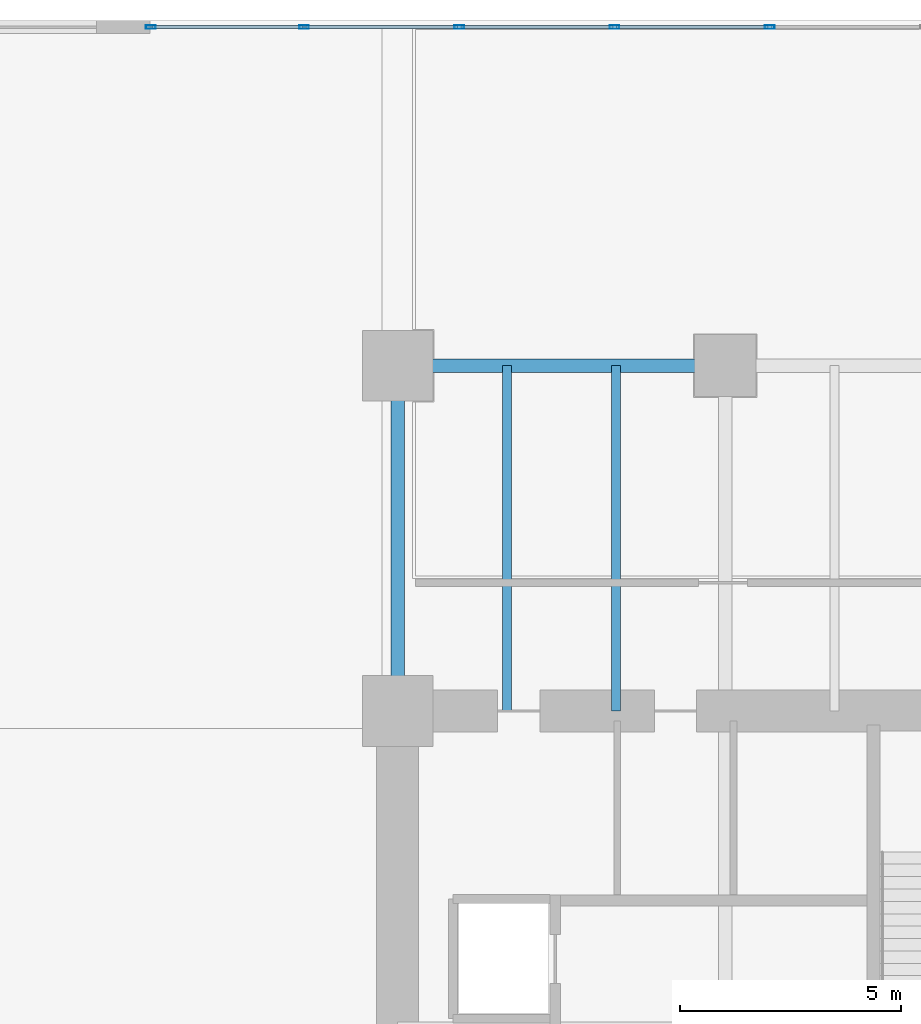
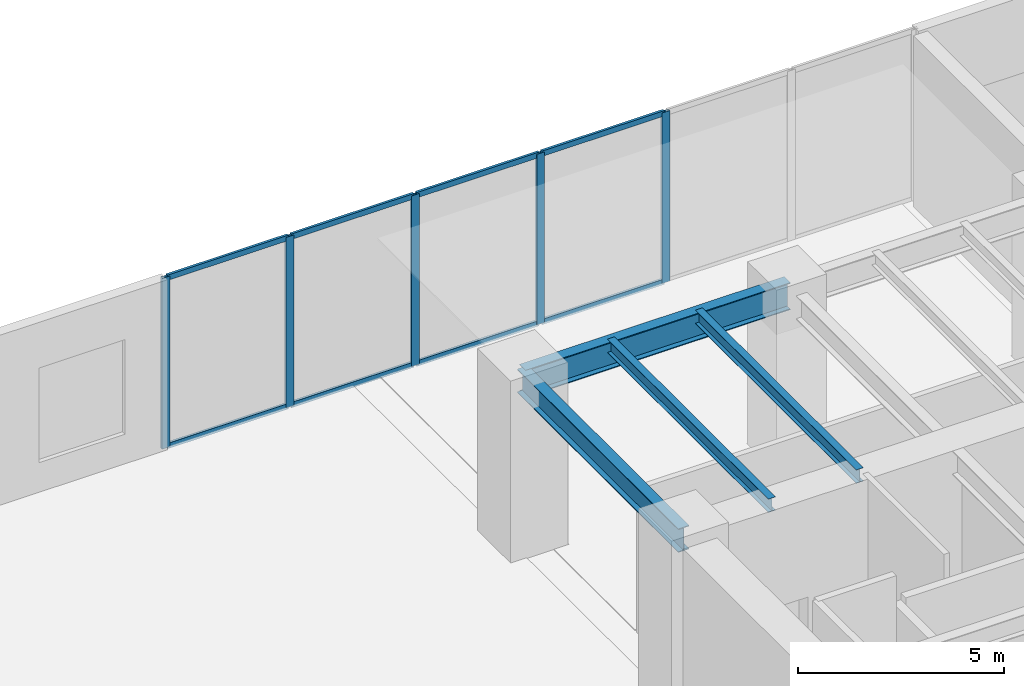
# One storey, part 13 of 28: 13 members, 4 beams, 1 element without a shape of its own.
"""IFC4 building model written with IfcOpenShell, lengths in metres."""

import ifcopenshell
import ifcopenshell.guid

model = None  # the IFC model being written
_history = None  # IfcOwnerHistory: only IFC2X3 demands one
_inside = {}  # id of a spatial element -> (the spatial element, [elements in it])
_under = {}  # id of a project, library or spatial element -> (it, [spatial elements below it])
_declared = {}  # id of a project -> (the project, [libraries it declares])
_typed = {}  # id of a type object -> (the type object, [elements of that type])
_made_of = {}  # id of a material, layer set ... -> (it, [elements and type objects made of it])


def new_model(schema):
    """Start an empty IFC model of exactly this schema.

    Asked for "IFC4X3", IfcOpenShell would pick the latest addendum, in which some entities
    have other attributes; the version numbers below select the first issue.
    IFC2X3 requires an IfcOwnerHistory on every rooted entity: one is made here for all.
    """
    global model, _history
    if schema == "IFC4X3":
        model = ifcopenshell.file(schema_version=(4, 3, 0, 0))
    else:
        model = ifcopenshell.file(schema=schema)
    _inside.clear()
    _under.clear()
    _declared.clear()
    _typed.clear()
    _made_of.clear()
    _history = None
    if model.schema == "IFC2X3":
        org = make("IfcOrganization", Name="unknown")
        user = make(
            "IfcPersonAndOrganization",
            ThePerson=make("IfcPerson", FamilyName="unknown"),
            TheOrganization=org,
        )
        app = make(
            "IfcApplication",
            ApplicationDeveloper=org,
            Version="unknown",
            ApplicationFullName="unknown",
            ApplicationIdentifier="unknown",
        )
        _history = make(
            "IfcOwnerHistory",
            OwningUser=user,
            OwningApplication=app,
            ChangeAction="ADDED",
            CreationDate=0,
        )
    return model


def make(cls, **values):
    """One entity of the class cls with the attributes given. An attribute that is None is left unset."""
    return model.create_entity(
        cls, **{name: value for name, value in values.items() if value is not None}
    )


def rooted(cls, **values):
    """An entity with a GlobalId (a new one), such as an element, a storey or a relation."""
    return make(cls, GlobalId=ifcopenshell.guid.new(), OwnerHistory=_history, **values)


def si_unit(unit_type, name, prefix=None):
    """IfcSIUnit, for example si_unit("LENGTHUNIT", "METRE", prefix="MILLI")."""
    return make("IfcSIUnit", UnitType=unit_type, Prefix=prefix, Name=name)


def assignment(units):
    """IfcUnitAssignment: the units of a project."""
    return None if units is None else make("IfcUnitAssignment", Units=units)


def point(xyz):
    """IfcCartesianPoint."""
    return None if xyz is None else make("IfcCartesianPoint", Coordinates=xyz)


def direction(xyz):
    """IfcDirection."""
    return None if xyz is None else make("IfcDirection", DirectionRatios=xyz)


def frame(location, z_axis=None, x_axis=None):
    """IfcAxis2Placement3D, a coordinate frame: its origin and axes. An axis left out is left unset."""
    return make(
        "IfcAxis2Placement3D",
        Location=point(location),
        Axis=direction(z_axis),
        RefDirection=direction(x_axis),
    )


def frame_2d(location, x_axis=None):
    """IfcAxis2Placement2D, a coordinate frame in the plane: its origin and x axis."""
    return make(
        "IfcAxis2Placement2D", Location=point(location), RefDirection=direction(x_axis)
    )


def origin():
    """The frame at (0, 0, 0) with its axes left unset."""
    return frame((0.0, 0.0, 0.0))


def origin_2d():
    """The frame at (0, 0) in the plane with its x axis left unset."""
    return frame_2d((0.0, 0.0))


def place(relative_to, where):
    """IfcLocalPlacement: puts the frame where relative to a parent placement (None: the world)."""
    return make(
        "IfcLocalPlacement", PlacementRelTo=relative_to, RelativePlacement=where
    )


def context(
    kind, dimensions, precision=None, world=None, true_north=None, identifier=None
):
    """IfcGeometricRepresentationContext, for example the 3D "Model" context."""
    return make(
        "IfcGeometricRepresentationContext",
        ContextIdentifier=identifier,
        ContextType=kind,
        CoordinateSpaceDimension=dimensions,
        Precision=precision,
        WorldCoordinateSystem=world,
        TrueNorth=true_north,
    )


def subcontext(parent, identifier, kind, view, scale=None):
    """IfcGeometricRepresentationSubContext, for example "Body" below "Model"."""
    return make(
        "IfcGeometricRepresentationSubContext",
        ContextIdentifier=identifier,
        ContextType=kind,
        ParentContext=parent,
        TargetScale=scale,
        TargetView=view,
    )


def project(units=None, contexts=None):
    """IfcProject with its units and contexts."""
    return rooted(
        "IfcProject",
        Name="project",
        RepresentationContexts=contexts,
        UnitsInContext=assignment(units),
    )


def spatial(cls, under=None, at=None, **own):
    """A site, building, storey or space (cls), placed at a placement, below another one or the project."""
    s = rooted(cls, ObjectPlacement=at, **own)
    if under is not None:
        _under.setdefault(under.id(), (under, []))[1].append(s)
    return s


def profile(cls, at=None, kind="AREA", **sizes):
    """A parametric profile (cls). Its sizes go by their IFC names, for example OverallWidth=200.0."""
    return make(cls, ProfileType=kind, Position=at, **sizes)


def hollow_rectangle(**sizes):
    """IfcRectangleHollowProfileDef."""
    return profile("IfcRectangleHollowProfileDef", **sizes)


def i_section(**sizes):
    """IfcIShapeProfileDef."""
    return profile("IfcIShapeProfileDef", **sizes)


def extrude(swept, where, along, depth):
    """IfcExtrudedAreaSolid: the profile swept, set in the frame where, extruded along a direction by depth."""
    return make(
        "IfcExtrudedAreaSolid",
        SweptArea=swept,
        Position=where,
        ExtrudedDirection=direction(along),
        Depth=depth,
    )


def shape(context_of_items, identifier, shape_type, items):
    """IfcShapeRepresentation: the items that make up one representation, for example the "Body"."""
    return make(
        "IfcShapeRepresentation",
        ContextOfItems=context_of_items,
        RepresentationIdentifier=identifier,
        RepresentationType=shape_type,
        Items=items,
    )


def source(mapping_origin, context_of_items, identifier, shape_type, items):
    """IfcRepresentationMap: a shape defined once, which mapped items show again and again."""
    return make(
        "IfcRepresentationMap",
        MappingOrigin=mapping_origin,
        MappedRepresentation=shape(context_of_items, identifier, shape_type, items),
    )


def transform(
    local_origin,
    x_axis=None,
    y_axis=None,
    z_axis=None,
    scale=None,
    scale2=None,
    scale3=None,
    uniform=True,
):
    """IfcCartesianTransformationOperator3D, or its non-uniform kind. x_axis, y_axis, z_axis: its Axis1, 2, 3."""
    if uniform:
        return make(
            "IfcCartesianTransformationOperator3D",
            Axis1=direction(x_axis),
            Axis2=direction(y_axis),
            LocalOrigin=point(local_origin),
            Scale=scale,
            Axis3=direction(z_axis),
        )
    return make(
        "IfcCartesianTransformationOperator3DnonUniform",
        Axis1=direction(x_axis),
        Axis2=direction(y_axis),
        LocalOrigin=point(local_origin),
        Scale=scale,
        Axis3=direction(z_axis),
        Scale2=scale2,
        Scale3=scale3,
    )


def mapped(mapping_source, mapping_target):
    """IfcMappedItem: shows the shape of a source again, moved by a transform."""
    return make(
        "IfcMappedItem", MappingSource=mapping_source, MappingTarget=mapping_target
    )


def material(Name=None, Category=None):
    """IfcMaterial."""
    return make("IfcMaterial", Name=Name, Category=Category)


def layer(
    of_material, thickness, ventilated=None, Name=None, Category=None, Priority=None
):
    """IfcMaterialLayer: one layer of a wall or slab, of a material (None: an air gap)."""
    return make(
        "IfcMaterialLayer",
        Material=of_material,
        LayerThickness=thickness,
        IsVentilated=ventilated,
        Name=Name,
        Category=Category,
        Priority=Priority,
    )


def layer_set(layers, Name=None):
    """IfcMaterialLayerSet."""
    return make("IfcMaterialLayerSet", MaterialLayers=layers, LayerSetName=Name)


def material_profile(
    of_material, cross_section, Name=None, Category=None, Priority=None
):
    """IfcMaterialProfile: a cross section and its material."""
    return make(
        "IfcMaterialProfile",
        Name=Name,
        Material=of_material,
        Profile=cross_section,
        Priority=Priority,
        Category=Category,
    )


def profile_set(profiles, Name=None, composite=None):
    """IfcMaterialProfileSet."""
    return make(
        "IfcMaterialProfileSet",
        Name=Name,
        MaterialProfiles=profiles,
        CompositeProfile=composite,
    )


def made_of(thing, what):
    """Note that an element or type object is made of a material, layer set ...; save() writes the relation."""
    if what is not None:
        _made_of.setdefault(what.id(), (what, []))[1].append(thing)
    return thing


def type_object(cls, material=None, **own):
    """A type object (cls), such as IfcWallType, which elements share."""
    return made_of(rooted(cls, **own), material)


def type_shapes(of_type, sources):
    """Give a type object the sources (RepresentationMaps) that its elements show as mapped items."""
    of_type.RepresentationMaps = sources


def element(
    cls,
    number,
    at=None,
    inside=None,
    cuts=None,
    type_object=None,
    material=None,
    context=None,
    identifier="Body",
    shape_type=None,
    held_by="IfcProductDefinitionShape",
    body=None,
    shapes=None,
    **own,
):
    """One element of the class cls, such as IfcWall. Its Tag is "e" and its number.

    at: its placement. inside: the storey or other place that contains it. cuts: it is an
    opening in that element (IfcRelVoidsElement). A single representation is given by context,
    identifier, shape_type and body (its items); several are given by shapes. held_by: the class
    of the entity that holds the representations. save() writes the other relations.
    """
    e = rooted(cls, Tag="e%d" % number, ObjectPlacement=at, **own)
    if body is not None:
        shapes = [shape(context, identifier, shape_type, body)]
    if shapes is not None:
        e.Representation = make(held_by, Representations=shapes)
    if inside is not None:
        _inside.setdefault(inside.id(), (inside, []))[1].append(e)
    if cuts is not None:
        rooted(
            "IfcRelVoidsElement", RelatingBuildingElement=cuts, RelatedOpeningElement=e
        )
    if type_object is not None:
        _typed.setdefault(type_object.id(), (type_object, []))[1].append(e)
    return made_of(e, material)


def aggregate(whole, parts):
    """IfcRelAggregates: a whole, such as a stair, and the parts it consists of."""
    return rooted("IfcRelAggregates", RelatingObject=whole, RelatedObjects=parts)


def save(model, path):
    """Write the relations noted so far, then the file.

    IfcRelAggregates (storeys below a building ...), IfcRelContainedInSpatialStructure (elements
    in a storey), IfcRelDefinesByType, IfcRelAssociatesMaterial and IfcRelDeclares: one each for
    every whole, place, type object, material and project.
    """
    for whole, parts in _under.values():
        aggregate(whole, parts)
    for where, things in _inside.values():
        rooted(
            "IfcRelContainedInSpatialStructure",
            RelatedElements=things,
            RelatingStructure=where,
        )
    for kind, things in _typed.values():
        rooted("IfcRelDefinesByType", RelatedObjects=things, RelatingType=kind)
    for what, things in _made_of.values():
        rooted("IfcRelAssociatesMaterial", RelatedObjects=things, RelatingMaterial=what)
    for by, libraries in _declared.values():
        rooted("IfcRelDeclares", RelatingContext=by, RelatedDefinitions=libraries)
    model.write(path)


model = new_model("IFC4")

# Units and contexts
model_context = context("Model", 3, precision=1e-05, world=origin(), true_north=direction((0.0, 1.0)))
body_context = subcontext(model_context, "Body", "Model", "MODEL_VIEW")
ifc_project = project(units=[si_unit("LENGTHUNIT", "METRE"), si_unit("AREAUNIT", "SQUARE_METRE"), si_unit("VOLUMEUNIT", "CUBIC_METRE"), si_unit("PLANEANGLEUNIT", "RADIAN"), si_unit("MASSUNIT", "GRAM", prefix="KILO")], contexts=[model_context])

# Site, building, storey
site_placement = place(None, origin())
site = spatial("IfcSite", under=ifc_project, at=site_placement, CompositionType="ELEMENT")
building_placement = place(site_placement, origin())
building = spatial("IfcBuilding", under=site, at=building_placement, Name="Haelvirn Gate Laboratories", CompositionType="ELEMENT")
storey_placement = place(building_placement, origin())
storey = spatial("IfcBuildingStorey", under=building, at=storey_placement, Name="L01", CompositionType="ELEMENT", Elevation=0.0)

# Beams
ifc_material_1 = material(Name="Steel SM420", Category="steel")
ifc_material_profile_1 = material_profile(ifc_material_1, i_section(OverallWidth=0.300048828125, OverallDepth=0.800048828125, WebThickness=0.013916015625, FlangeThickness=0.02587890625, at=origin_2d()), Name="H-800x300x14x26")
ifc_profile_set_1 = profile_set([ifc_material_profile_1], Name="Steel SM420")
beam_type_1 = type_object("IfcBeamType", Name="BM-G-800", PredefinedType="BEAM", material=ifc_profile_set_1)
shared_shape_1 = source(origin(), body_context, "Body", "SweptSolid", [
    extrude(i_section(OverallWidth=0.300048828125, OverallDepth=0.800048828125, WebThickness=0.013916015625, FlangeThickness=0.02587890625, at=origin_2d()), origin(), (0.0, 0.0, 1.0), 7.39990234375),
])
type_shapes(beam_type_1, [shared_shape_1])
beam_1_placement = place(storey_placement, frame((52.60009765625, 41.60009765625, 4.64990234375), z_axis=(1.0, 0.0, 0.0), x_axis=(0.0, 1.0, 0.0)))
element("IfcBeam", 1, at=beam_1_placement, inside=storey, type_object=beam_type_1, Name="L01 Primary Girder Y41.6 (52.6-60.0)", PredefinedType="BEAM", context=body_context, shape_type="MappedRepresentation", body=[
    mapped(shared_shape_1, transform((0.0, 0.0, 0.0), scale=1.0)),
])
ifc_material_2 = material(Name="Steel SM355", Category="steel")
ifc_material_profile_2 = material_profile(ifc_material_2, i_section(OverallWidth=0.199951171875, OverallDepth=0.39990234375, WebThickness=0.008056640625, FlangeThickness=0.012939453125, at=origin_2d()), Name="H-400x200x8x13")
ifc_profile_set_2 = profile_set([ifc_material_profile_2], Name="Steel SM355")
beam_type_2 = type_object("IfcBeamType", Name="BM-J-400", PredefinedType="JOIST", material=ifc_profile_set_2)
shared_shape_2 = source(origin(), body_context, "Body", "SweptSolid", [
    extrude(i_section(OverallWidth=0.199951171875, OverallDepth=0.39990234375, WebThickness=0.008056640625, FlangeThickness=0.012939453125, at=origin_2d()), origin(), (0.0, 0.0, 1.0), 7.800048828125),
])
type_shapes(beam_type_2, [shared_shape_2])
for number, where, z_axis, x_axis, name in (
    (2, (55.070068359375, 33.800048828125, 4.85009765625), (0.0, 1.0, 0.0), (-1.0, 0.0, 0.0), "L01 Composite Lab Joist North X55.07"),
    (3, (57.530029296875, 33.800048828125, 4.85009765625), (0.0, 1.0, 0.0), (-1.0, 0.0, 0.0), "L01 Composite Lab Joist North X57.53"),
):
    element("IfcBeam", number, at=place(storey_placement, frame(where, z_axis=z_axis, x_axis=x_axis)), inside=storey, type_object=beam_type_2, Name=name, PredefinedType="JOIST", context=body_context, shape_type="MappedRepresentation", body=[
        mapped(shared_shape_2, transform((0.0, 0.0, 0.0), scale=1.0)),
    ])
ifc_material_profile_3 = material_profile(ifc_material_2, i_section(OverallWidth=0.300048828125, OverallDepth=0.699951171875, WebThickness=0.012939453125, FlangeThickness=0.02392578125, at=origin_2d()), Name="H-700x300x13x24")
ifc_profile_set_3 = profile_set([ifc_material_profile_3], Name="Steel SM355")
beam_type_3 = type_object("IfcBeamType", Name="BM-G-700", PredefinedType="BEAM", material=ifc_profile_set_3)
shared_shape_3 = source(origin(), body_context, "Body", "SweptSolid", [
    extrude(i_section(OverallWidth=0.300048828125, OverallDepth=0.699951171875, WebThickness=0.012939453125, FlangeThickness=0.02392578125, at=origin_2d()), origin(), (0.0, 0.0, 1.0), 7.800048828125),
])
type_shapes(beam_type_3, [shared_shape_3])
beam_2_placement = place(storey_placement, frame((52.60009765625, 33.800048828125, 4.699951171875), z_axis=(0.0, 1.0, 0.0), x_axis=(-1.0, 0.0, 0.0)))
element("IfcBeam", 4, at=beam_2_placement, inside=storey, type_object=beam_type_3, Name="L01 Frame Girder X52.6 (33.8-41.6)", PredefinedType="BEAM", context=body_context, shape_type="MappedRepresentation", body=[
    mapped(shared_shape_3, transform((0.0, 0.0, 0.0), scale=1.0)),
])

# Curtain wall, members
ifc_material_3 = material(Name="Anodised bronze unitised aluminium & triple low-E glass", Category="aluminium")
ifc_layer = layer(ifc_material_3, 0.18798828125, Name="CW-SYS-1")
ifc_layer_set = layer_set([ifc_layer], Name="Anodised bronze unitised aluminium & triple low-E glass")
curtain_wall_type = type_object("IfcCurtainWallType", Name="CW-SYS-1", PredefinedType="NOTDEFINED", material=ifc_layer_set)
curtain_wall_placement = place(storey_placement, origin())
curtain_wall = element("IfcCurtainWall", 5, at=curtain_wall_placement, inside=storey, type_object=curtain_wall_type, Name="L01 Unitised Curtain Wall CW-L01-NR", PredefinedType="NOTDEFINED")
ifc_material_4 = material(Name="Extruded aluminium 6063-T6 (anodised bronze)", Category="aluminium")
ifc_material_profile_4 = material_profile(ifc_material_4, hollow_rectangle(XDim=0.080078125, YDim=0.219970703125, WallThickness=0.006103515625, at=origin_2d()), Name="CWM-220x80x6")
ifc_profile_set_4 = profile_set([ifc_material_profile_4], Name="Extruded aluminium 6063-T6 (anodised bronze)")
member_type_1 = type_object("IfcMemberType", Name="CWM-T220", PredefinedType="MULLION", material=ifc_profile_set_4)
shared_shape_4 = source(origin(), body_context, "Body", "SweptSolid", [
    extrude(hollow_rectangle(XDim=0.080078125, YDim=0.219970703125, WallThickness=0.006103515625, at=origin_2d()), origin(), (0.0, 0.0, 1.0), 5.050048828125),
])
type_shapes(member_type_1, [shared_shape_4])
member_1_placement = place(storey_placement, frame((47.02001953125, 49.25, 0.0), z_axis=(0.0, 0.0, 1.0), x_axis=(0.0, 1.0, 0.0)))
member_1 = element("IfcMember", 6, at=member_1_placement, type_object=member_type_1, Name="CW1 mullion 1", PredefinedType="MULLION", context=body_context, shape_type="MappedRepresentation", body=[
    mapped(shared_shape_4, transform((0.0, 0.0, 0.0), scale=1.0)),
])
member_2_placement = place(storey_placement, frame((50.486572265625, 49.25, 0.0), z_axis=(0.0, 0.0, 1.0), x_axis=(0.0, 1.0, 0.0)))
member_2 = element("IfcMember", 7, at=member_2_placement, type_object=member_type_1, Name="CW1 mullion 2", PredefinedType="MULLION", context=body_context, shape_type="MappedRepresentation", body=[
    mapped(shared_shape_4, transform((0.0, 0.0, 0.0), scale=1.0)),
])
member_3_placement = place(storey_placement, frame((53.993408203125, 49.25, 0.0), z_axis=(0.0, 0.0, 1.0), x_axis=(0.0, 1.0, 0.0)))
member_3 = element("IfcMember", 8, at=member_3_placement, type_object=member_type_1, Name="CW1 mullion 3", PredefinedType="MULLION", context=body_context, shape_type="MappedRepresentation", body=[
    mapped(shared_shape_4, transform((0.0, 0.0, 0.0), scale=1.0)),
])
member_4_placement = place(storey_placement, frame((57.5, 49.25, 0.0), z_axis=(0.0, 0.0, 1.0), x_axis=(0.0, 1.0, 0.0)))
member_4 = element("IfcMember", 9, at=member_4_placement, type_object=member_type_1, Name="CW1 mullion 4", PredefinedType="MULLION", context=body_context, shape_type="MappedRepresentation", body=[
    mapped(shared_shape_4, transform((0.0, 0.0, 0.0), scale=1.0)),
])
member_5_placement = place(storey_placement, frame((61.006591796875, 49.25, 0.0), z_axis=(0.0, 0.0, 1.0), x_axis=(0.0, 1.0, 0.0)))
member_5 = element("IfcMember", 10, at=member_5_placement, type_object=member_type_1, Name="CW1 mullion 5", PredefinedType="MULLION", context=body_context, shape_type="MappedRepresentation", body=[
    mapped(shared_shape_4, transform((0.0, 0.0, 0.0), scale=1.0)),
])
ifc_material_profile_5 = material_profile(ifc_material_4, hollow_rectangle(XDim=0.070068359375, YDim=0.159912109375, WallThickness=0.0048828125, at=origin_2d()), Name="CWT-160x70x5")
ifc_profile_set_5 = profile_set([ifc_material_profile_5], Name="Extruded aluminium 6063-T6 (anodised bronze)")
member_type_2 = type_object("IfcMemberType", Name="CWT-T160", PredefinedType="USERDEFINED", material=ifc_profile_set_5)
shared_shape_5 = source(origin(), body_context, "Body", "SweptSolid", [
    extrude(hollow_rectangle(XDim=0.070068359375, YDim=0.159912109375, WallThickness=0.0048828125, at=origin_2d()), origin(), (0.0, 0.0, 1.0), 3.38671875),
])
member_6_placement = place(storey_placement, frame((47.06005859375, 49.25, 0.034912109375), z_axis=(1.0, 0.0, 0.0), x_axis=(0.0, 1.0, 0.0)))
member_6 = element("IfcMember", 11, at=member_6_placement, type_object=member_type_2, Name="CW1 transom 1.1", ObjectType="TRANSOM", PredefinedType="USERDEFINED", context=body_context, shape_type="MappedRepresentation", body=[
    mapped(shared_shape_5, transform((0.0, 0.0, 0.0), scale=1.0)),
])
member_7_placement = place(storey_placement, frame((47.06005859375, 49.25, 5.014892578125), z_axis=(1.0, 0.0, 0.0), x_axis=(0.0, 1.0, 0.0)))
member_7 = element("IfcMember", 12, at=member_7_placement, type_object=member_type_2, Name="CW1 transom 1.2", ObjectType="TRANSOM", PredefinedType="USERDEFINED", context=body_context, shape_type="MappedRepresentation", body=[
    mapped(shared_shape_5, transform((0.0, 0.0, 0.0), scale=1.0)),
])
shared_shape_6 = source(origin(), body_context, "Body", "SweptSolid", [
    extrude(hollow_rectangle(XDim=0.070068359375, YDim=0.159912109375, WallThickness=0.0048828125, at=origin_2d()), origin(), (0.0, 0.0, 1.0), 3.4267578125),
])
member_8_placement = place(storey_placement, frame((50.526611328125, 49.25, 0.034912109375), z_axis=(1.0, 0.0, 0.0), x_axis=(0.0, 1.0, 0.0)))
member_8 = element("IfcMember", 13, at=member_8_placement, type_object=member_type_2, Name="CW1 transom 2.1", ObjectType="TRANSOM", PredefinedType="USERDEFINED", context=body_context, shape_type="MappedRepresentation", body=[
    mapped(shared_shape_6, transform((0.0, 0.0, 0.0), scale=1.0)),
])
member_9_placement = place(storey_placement, frame((50.526611328125, 49.25, 5.014892578125), z_axis=(1.0, 0.0, 0.0), x_axis=(0.0, 1.0, 0.0)))
member_9 = element("IfcMember", 14, at=member_9_placement, type_object=member_type_2, Name="CW1 transom 2.2", ObjectType="TRANSOM", PredefinedType="USERDEFINED", context=body_context, shape_type="MappedRepresentation", body=[
    mapped(shared_shape_6, transform((0.0, 0.0, 0.0), scale=1.0)),
])
shared_shape_7 = source(origin(), body_context, "Body", "SweptSolid", [
    extrude(hollow_rectangle(XDim=0.070068359375, YDim=0.159912109375, WallThickness=0.0048828125, at=origin_2d()), origin(), (0.0, 0.0, 1.0), 3.426513671875),
])
type_shapes(member_type_2, [shared_shape_5, shared_shape_6, shared_shape_7])
member_10_placement = place(storey_placement, frame((54.033447265625, 49.25, 0.034912109375), z_axis=(1.0, 0.0, 0.0), x_axis=(0.0, 1.0, 0.0)))
member_10 = element("IfcMember", 15, at=member_10_placement, type_object=member_type_2, Name="CW1 transom 3.1", ObjectType="TRANSOM", PredefinedType="USERDEFINED", context=body_context, shape_type="MappedRepresentation", body=[
    mapped(shared_shape_7, transform((0.0, 0.0, 0.0), scale=1.0)),
])
member_11_placement = place(storey_placement, frame((54.033447265625, 49.25, 5.014892578125), z_axis=(1.0, 0.0, 0.0), x_axis=(0.0, 1.0, 0.0)))
member_11 = element("IfcMember", 16, at=member_11_placement, type_object=member_type_2, Name="CW1 transom 3.2", ObjectType="TRANSOM", PredefinedType="USERDEFINED", context=body_context, shape_type="MappedRepresentation", body=[
    mapped(shared_shape_7, transform((0.0, 0.0, 0.0), scale=1.0)),
])
member_12_placement = place(storey_placement, frame((57.5400390625, 49.25, 0.034912109375), z_axis=(1.0, 0.0, 0.0), x_axis=(0.0, 1.0, 0.0)))
member_12 = element("IfcMember", 17, at=member_12_placement, type_object=member_type_2, Name="CW1 transom 4.1", ObjectType="TRANSOM", PredefinedType="USERDEFINED", context=body_context, shape_type="MappedRepresentation", body=[
    mapped(shared_shape_7, transform((0.0, 0.0, 0.0), scale=1.0)),
])
member_13_placement = place(storey_placement, frame((57.5400390625, 49.25, 5.014892578125), z_axis=(1.0, 0.0, 0.0), x_axis=(0.0, 1.0, 0.0)))
member_13 = element("IfcMember", 18, at=member_13_placement, type_object=member_type_2, Name="CW1 transom 4.2", ObjectType="TRANSOM", PredefinedType="USERDEFINED", context=body_context, shape_type="MappedRepresentation", body=[
    mapped(shared_shape_7, transform((0.0, 0.0, 0.0), scale=1.0)),
])
aggregate(curtain_wall, [member_1, member_2, member_3, member_4, member_5, member_6, member_7, member_8, member_9, member_10, member_11, member_12, member_13])

save(model, "model.ifc")
